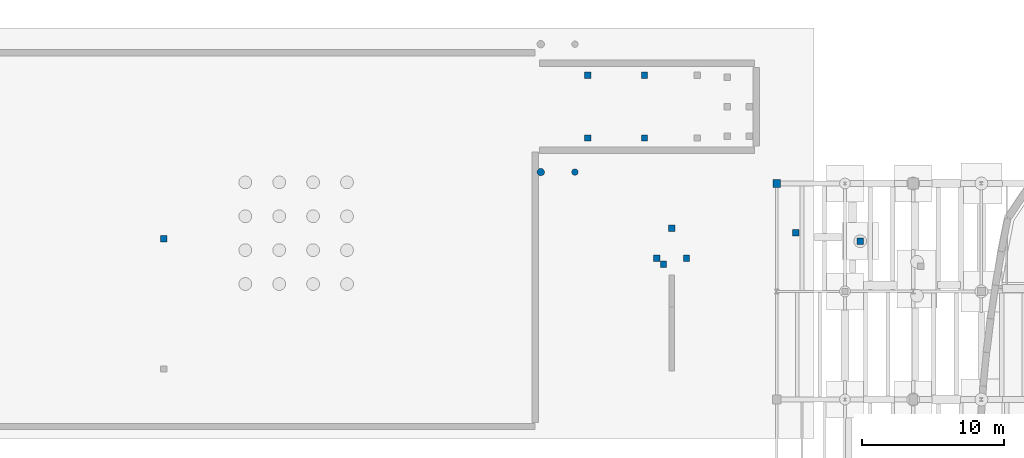
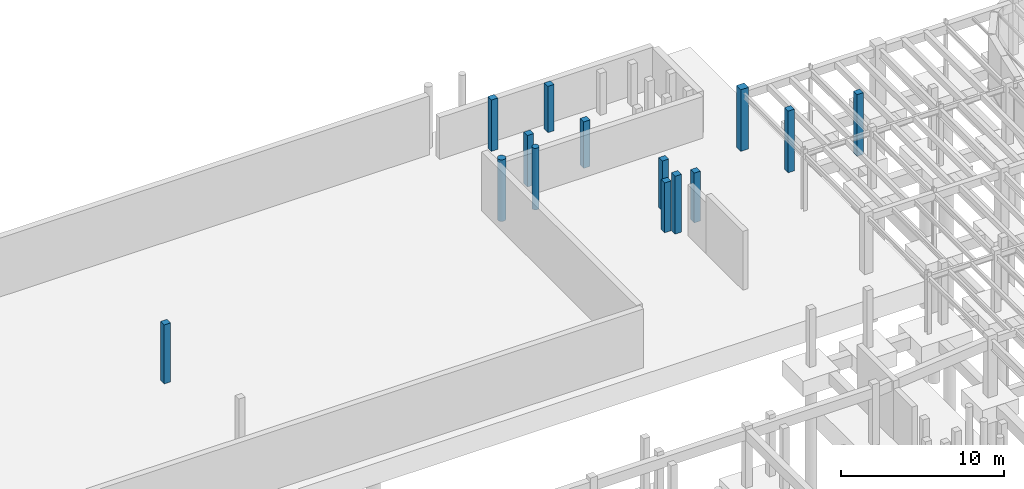
# One storey, part 17 of 45: 14 columns.
"""IFC4 building model written with IfcOpenShell, lengths in metres."""

from ifc_helpers import new_model, si_unit, direction, frame, origin, origin_2d, place, context, subcontext, project, spatial, rectangle, circle, extrude, material, material_profile, profile_set, type_object, element, save


model = new_model("IFC4")

# Units and contexts
model_context = context("Model", 3, precision=1e-05, world=origin(), true_north=direction((0.0, 1.0)))
body_context = subcontext(model_context, "Body", "Model", "MODEL_VIEW")
ifc_project = project(units=[si_unit("LENGTHUNIT", "METRE"), si_unit("AREAUNIT", "SQUARE_METRE"), si_unit("VOLUMEUNIT", "CUBIC_METRE"), si_unit("PLANEANGLEUNIT", "RADIAN"), si_unit("MASSUNIT", "GRAM", prefix="KILO")], contexts=[model_context])

# Site, building, storey
site_placement = place(None, origin())
site = spatial("IfcSite", under=ifc_project, at=site_placement, CompositionType="ELEMENT")
building_placement = place(site_placement, origin())
building = spatial("IfcBuilding", under=site, at=building_placement, Name="Corveleigh Park Community Centre", CompositionType="ELEMENT")
storey_placement = place(building_placement, frame((0.0, 0.0, -4.199951171875)))
storey = spatial("IfcBuildingStorey", under=building, at=storey_placement, Name="B1", CompositionType="ELEMENT", Elevation=-4.199951171875)

# Columns
ifc_material = material(Name="Concrete C40/50", Category="concrete")
ifc_material_profile_1 = material_profile(ifc_material, rectangle(XDim=0.449951171875, YDim=0.449951171875, at=origin_2d()), Name="RC-450x450", Category="concrete")
ifc_profile_set_1 = profile_set([ifc_material_profile_1], Name="Concrete C40/50")
column_type_1 = type_object("IfcColumnType", Name="COL-RC-450x450", PredefinedType="COLUMN", material=ifc_profile_set_1)
for number, where, z_axis, x_axis, name in (
    (1, (121.35009765625, 98.949951171875, -0.4150390625), (0.0, 0.0, 1.0), (1.0, 0.0, 0.0), "External deck support pier 66 B1"),
    (2, (123.449951171875, 98.949951171875, -0.4150390625), (0.0, 0.0, 1.0), (1.0, 0.0, 0.0), "External deck support pier 67 B1"),
    (3, (122.39990234375, 101.050048828125, -0.4150390625), (0.0, 0.0, 1.0), (1.0, 0.0, 0.0), "External deck support pier 68 B1"),
):
    element("IfcColumn", number, at=place(storey_placement, frame(where, z_axis=z_axis, x_axis=x_axis)), inside=storey, type_object=column_type_1, Name=name, PredefinedType="COLUMN", context=body_context, shape_type="SweptSolid", body=[
        extrude(rectangle(XDim=0.449951171875, YDim=0.449951171875, at=origin_2d()), origin(), (0.0, 0.0, 1.0), 3.73291015625),
    ])
for number, where, z_axis, x_axis, name in (
    (4, (116.5, 107.39990234375, -0.4150390625), (0.0, 0.0, 1.0), (1.0, 0.0, 0.0), "External deck support pier 118 B1"),
    (5, (116.5, 111.800048828125, -0.4150390625), (0.0, 0.0, 1.0), (1.0, 0.0, 0.0), "External deck support pier 119 B1"),
):
    element("IfcColumn", number, at=place(storey_placement, frame(where, z_axis=z_axis, x_axis=x_axis)), inside=storey, type_object=column_type_1, Name=name, PredefinedType="COLUMN", context=body_context, shape_type="SweptSolid", body=[
        extrude(rectangle(XDim=0.449951171875, YDim=0.449951171875, at=origin_2d()), origin(), (0.0, 0.0, 1.0), 3.85400390625),
    ])
for number, where, z_axis, x_axis, name in (
    (6, (120.5, 107.39990234375, -0.4150390625), (0.0, 0.0, 1.0), (1.0, 0.0, 0.0), "External deck support pier 120 B1"),
    (7, (120.5, 111.800048828125, -0.4150390625), (0.0, 0.0, 1.0), (1.0, 0.0, 0.0), "External deck support pier 121 B1"),
):
    element("IfcColumn", number, at=place(storey_placement, frame(where, z_axis=z_axis, x_axis=x_axis)), inside=storey, type_object=column_type_1, Name=name, PredefinedType="COLUMN", context=body_context, shape_type="SweptSolid", body=[
        extrude(rectangle(XDim=0.449951171875, YDim=0.449951171875, at=origin_2d()), origin(), (0.0, 0.0, 1.0), 3.47607421875),
    ])
for number, where, z_axis, x_axis, name in (
    (8, (131.12890625, 100.72412109375, -0.4150390625), (0.0, 0.0, 1.0), (1.0, 0.0, 0.0), "External deck support pier 126 B1"),
    (9, (135.674072265625, 100.135986328125, -0.4150390625), (0.0, 0.0, 1.0), (1.0, 0.0, 0.0), "External deck support pier 133 B1"),
):
    element("IfcColumn", number, at=place(storey_placement, frame(where, z_axis=z_axis, x_axis=x_axis)), inside=storey, type_object=column_type_1, Name=name, PredefinedType="COLUMN", context=body_context, shape_type="SweptSolid", body=[
        extrude(rectangle(XDim=0.449951171875, YDim=0.449951171875, at=origin_2d()), origin(), (0.0, 0.0, 1.0), 4.614990234375),
    ])
column_1_placement = place(storey_placement, frame((121.8359375, 98.508056640625, -0.4150390625), z_axis=(0.0, 0.0, 1.0), x_axis=(1.0, 0.0, 0.0)))
element("IfcColumn", 10, at=column_1_placement, inside=storey, type_object=column_type_1, Name="External deck support pier 173 B1", PredefinedType="COLUMN", context=body_context, shape_type="SweptSolid", body=[
    extrude(rectangle(XDim=0.449951171875, YDim=0.449951171875, at=origin_2d()), origin(), (0.0, 0.0, 1.0), 4.3330078125),
])
column_2_placement = place(storey_placement, frame((86.675048828125, 100.300048828125, -0.4150390625), z_axis=(0.0, 0.0, 1.0), x_axis=(1.0, 0.0, 0.0)))
element("IfcColumn", 11, at=column_2_placement, inside=storey, type_object=column_type_1, Name="External deck support pier 184 B1", PredefinedType="COLUMN", context=body_context, shape_type="SweptSolid", body=[
    extrude(rectangle(XDim=0.449951171875, YDim=0.449951171875, at=origin_2d()), origin(), (0.0, 0.0, 1.0), 4.4130859375),
])
ifc_material_profile_2 = material_profile(ifc_material, rectangle(XDim=0.550048828125, YDim=0.550048828125, at=origin_2d()), Name="RC-550x550", Category="concrete")
ifc_profile_set_2 = profile_set([ifc_material_profile_2], Name="Concrete C40/50")
column_type_2 = type_object("IfcColumnType", Name="COL-RC-550x550", PredefinedType="COLUMN", material=ifc_profile_set_2)
column_3_placement = place(storey_placement, frame((129.800048828125, 104.199951171875, -0.4150390625), z_axis=(0.0, 0.0, 1.0), x_axis=(1.0, 0.0, 0.0)))
element("IfcColumn", 12, at=column_3_placement, inside=storey, type_object=column_type_2, Name="Column V4-X0Y6 B1", PredefinedType="COLUMN", context=body_context, shape_type="SweptSolid", body=[
    extrude(rectangle(XDim=0.550048828125, YDim=0.550048828125, at=origin_2d()), origin(), (0.0, 0.0, 1.0), 4.614990234375),
])
ifc_material_profile_3 = material_profile(ifc_material, circle(Radius=0.22509765625, at=origin_2d()), Name="RC-450D", Category="concrete")
ifc_profile_set_3 = profile_set([ifc_material_profile_3], Name="Concrete C40/50")
column_type_3 = type_object("IfcColumnType", Name="COL-RCE-450D", PredefinedType="COLUMN", material=ifc_profile_set_3)
column_4_placement = place(storey_placement, frame((115.60009765625, 105.0, -0.4150390625), z_axis=(0.0, 0.0, 1.0), x_axis=(1.0, 0.0, 0.0)))
element("IfcColumn", 13, at=column_4_placement, inside=storey, type_object=column_type_3, Name="External deck support pier 115 B1", PredefinedType="COLUMN", context=body_context, shape_type="SweptSolid", body=[
    extrude(circle(Radius=0.22509765625, at=origin_2d()), origin(), (0.0, 0.0, 1.0), 4.614990234375),
])
ifc_material_profile_4 = material_profile(ifc_material, circle(Radius=0.260009765625, at=origin_2d()), Name="RC-520D", Category="concrete")
ifc_profile_set_4 = profile_set([ifc_material_profile_4], Name="Concrete C40/50")
column_type_4 = type_object("IfcColumnType", Name="COL-RCE-520D", PredefinedType="COLUMN", material=ifc_profile_set_4)
column_5_placement = place(storey_placement, frame((113.199951171875, 105.0, -0.4150390625), z_axis=(0.0, 0.0, 1.0), x_axis=(1.0, 0.0, 0.0)))
element("IfcColumn", 14, at=column_5_placement, inside=storey, type_object=column_type_4, Name="External deck support pier 114 B1", PredefinedType="COLUMN", context=body_context, shape_type="SweptSolid", body=[
    extrude(circle(Radius=0.260009765625, at=origin_2d()), origin(), (0.0, 0.0, 1.0), 4.614990234375),
])

save(model, "model.ifc")
